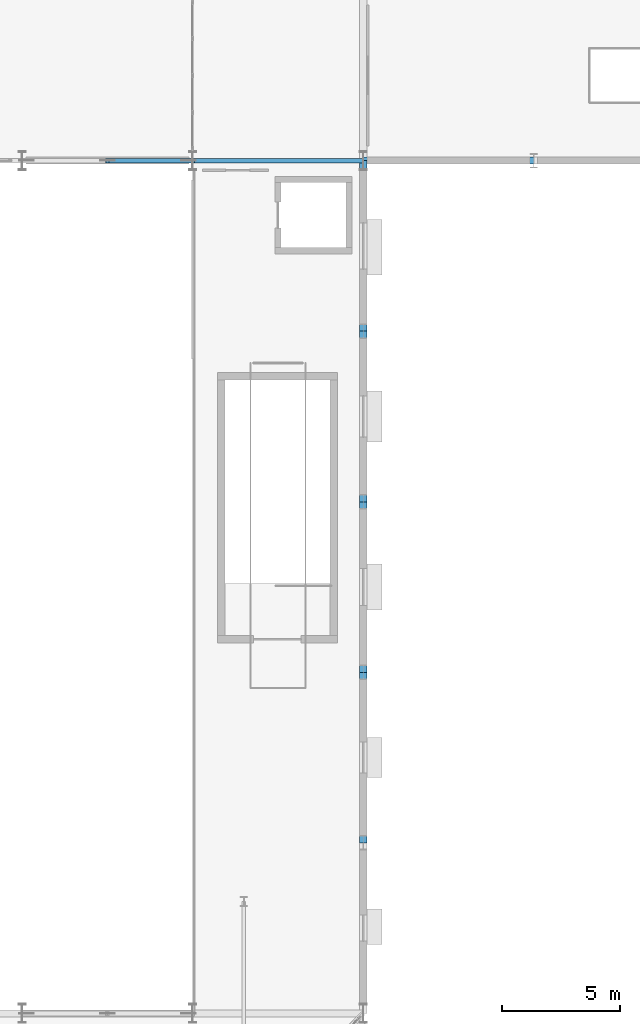
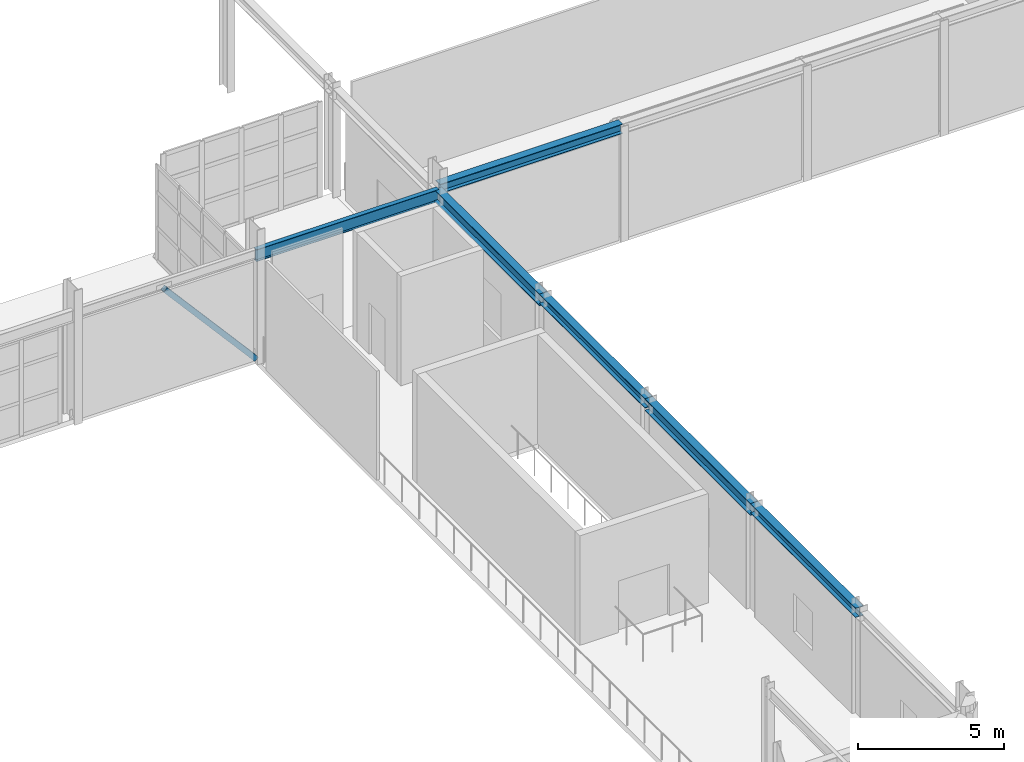
# One storey, part 61 of 126: 6 beams, 1 member.
"""IFC4 building model written with IfcOpenShell, lengths in metres."""

from ifc_helpers import new_model, si_unit, direction, frame, origin, origin_2d, place, context, subcontext, project, spatial, hollow_rectangle, i_section, extrude, material, material_profile, profile_set, type_object, element, save


model = new_model("IFC4")

# Units and contexts
model_context = context("Model", 3, precision=1e-05, world=origin(), true_north=direction((0.0, 1.0)))
body_context = subcontext(model_context, "Body", "Model", "MODEL_VIEW")
ifc_project = project(units=[si_unit("LENGTHUNIT", "METRE"), si_unit("AREAUNIT", "SQUARE_METRE"), si_unit("VOLUMEUNIT", "CUBIC_METRE"), si_unit("PLANEANGLEUNIT", "RADIAN"), si_unit("MASSUNIT", "GRAM", prefix="KILO")], contexts=[model_context])

# Site, building, storey
site_placement = place(None, origin())
site = spatial("IfcSite", under=ifc_project, at=site_placement, CompositionType="ELEMENT")
building_placement = place(site_placement, origin())
building = spatial("IfcBuilding", under=site, at=building_placement, Name="Solvadek Multi-Sports Hall", CompositionType="ELEMENT")
storey_placement = place(building_placement, frame((0.0, 0.0, 9.60009765625)))
storey = spatial("IfcBuildingStorey", under=building, at=storey_placement, Name="L02", CompositionType="ELEMENT", Elevation=9.60009765625)

# Beam
ifc_material = material(Name="Steel E350 (350 MPa)", Category="steel")
ifc_material_profile_1 = material_profile(ifc_material, i_section(OverallWidth=0.179931640625, OverallDepth=0.5, WebThickness=0.01025390625, FlangeThickness=0.01708984375, at=origin_2d()), Name="ISMB 500")
ifc_profile_set_1 = profile_set([ifc_material_profile_1], Name="Steel E350 (350 MPa)")
beam_type_1 = type_object("IfcBeamType", Name="STR-BM-ISMB500", PredefinedType="BEAM", material=ifc_profile_set_1)
beam_1_placement = place(storey_placement, frame((129.60009765625, 42.0, 4.309814453125), z_axis=(1.0, 0.0, 0.0), x_axis=(0.0, 1.0, 0.0)))
element("IfcBeam", 1, at=beam_1_placement, inside=storey, type_object=beam_type_1, Name="L02 Girder B-07 #1360", PredefinedType="BEAM", context=body_context, shape_type="SweptSolid", body=[
    extrude(i_section(OverallWidth=0.179931640625, OverallDepth=0.5, WebThickness=0.01025390625, FlangeThickness=0.01708984375, at=origin_2d()), origin(), (0.0, 0.0, 1.0), 7.199951171875),
])

# Member
ifc_material_profile_2 = material_profile(ifc_material, hollow_rectangle(XDim=0.199951171875, YDim=0.199951171875, WallThickness=0.010009765625, at=origin_2d()), Name="SHS 200x200x10")
ifc_profile_set_2 = profile_set([ifc_material_profile_2], Name="Steel E350 (350 MPa)")
member_type = type_object("IfcMemberType", Name="STR-BRC-SHS200", PredefinedType="BRACE", material=ifc_profile_set_2)
member_placement = place(storey_placement, frame((129.60009765625, 42.0, 0.0), z_axis=(-0.655295898412, 0.0, 0.755372282735), x_axis=(0.0, -1.0, 0.0)))
element("IfcMember", 2, at=member_placement, inside=storey, type_object=member_type, Name="L02 Concentric Chevron Brace #42", PredefinedType="BRACE", context=body_context, shape_type="SweptSolid", body=[
    extrude(hollow_rectangle(XDim=0.199951171875, YDim=0.199951171875, WallThickness=0.010009765625, at=origin_2d()), origin(), (0.0, 0.0, 1.0), 5.493896484375),
])

# Beams
ifc_material_profile_3 = material_profile(ifc_material, i_section(OverallWidth=0.300048828125, OverallDepth=0.39990234375, WebThickness=0.013427734375, FlangeThickness=0.02392578125, at=origin_2d()), Name="WPB 400")
ifc_profile_set_3 = profile_set([ifc_material_profile_3], Name="Steel E350 (350 MPa)")
beam_type_2 = type_object("IfcBeamType", Name="STR-SPN-WPB400", PredefinedType="SPANDREL", material=ifc_profile_set_3)
for number, where, z_axis, x_axis, name in (
    (3, (136.800048828125, 13.199951171875, 4.35986328125), (0.0, 1.0, 0.0), (-1.0, 0.0, 0.0), "L02 Girder SP-02 #1597"),
    (4, (136.800048828125, 27.60009765625, 4.35986328125), (0.0, 1.0, 0.0), (-1.0, 0.0, 0.0), "L02 Girder SP-02 #1599"),
    (5, (136.800048828125, 42.0, 4.599853515625), (1.0, 0.0, 0.0), (0.0, 1.0, 0.0), "L02 V2 Perimeter Spandrel #77"),
):
    element("IfcBeam", number, at=place(storey_placement, frame(where, z_axis=z_axis, x_axis=x_axis)), inside=storey, type_object=beam_type_2, Name=name, PredefinedType="SPANDREL", context=body_context, shape_type="SweptSolid", body=[
        extrude(i_section(OverallWidth=0.300048828125, OverallDepth=0.39990234375, WebThickness=0.013427734375, FlangeThickness=0.02392578125, at=origin_2d()), origin(), (0.0, 0.0, 1.0), 7.199951171875),
    ])
ifc_material_profile_4 = material_profile(ifc_material, i_section(OverallWidth=0.300048828125, OverallDepth=0.5, WebThickness=0.014404296875, FlangeThickness=0.028076171875, at=origin_2d()), Name="WPB 500")
ifc_profile_set_4 = profile_set([ifc_material_profile_4], Name="Steel E350 (350 MPa)")
beam_type_3 = type_object("IfcBeamType", Name="STR-SPN-WPB500", PredefinedType="SPANDREL", material=ifc_profile_set_4)
beam_2_placement = place(storey_placement, frame((136.800048828125, 20.39990234375, 4.309814453125), z_axis=(0.0, 1.0, 0.0), x_axis=(-1.0, 0.0, 0.0)))
element("IfcBeam", 6, at=beam_2_placement, inside=storey, type_object=beam_type_3, Name="L02 Girder SP-01 #1598", PredefinedType="SPANDREL", context=body_context, shape_type="SweptSolid", body=[
    extrude(i_section(OverallWidth=0.300048828125, OverallDepth=0.5, WebThickness=0.014404296875, FlangeThickness=0.028076171875, at=origin_2d()), origin(), (0.0, 0.0, 1.0), 7.2001953125),
])
beam_3_placement = place(storey_placement, frame((136.800048828125, 34.800048828125, 4.309814453125), z_axis=(0.0, 1.0, 0.0), x_axis=(-1.0, 0.0, 0.0)))
element("IfcBeam", 7, at=beam_3_placement, inside=storey, type_object=beam_type_3, Name="L02 Girder SP-01 #1600", PredefinedType="SPANDREL", context=body_context, shape_type="SweptSolid", body=[
    extrude(i_section(OverallWidth=0.300048828125, OverallDepth=0.5, WebThickness=0.014404296875, FlangeThickness=0.028076171875, at=origin_2d()), origin(), (0.0, 0.0, 1.0), 7.199951171875),
])

save(model, "model.ifc")
